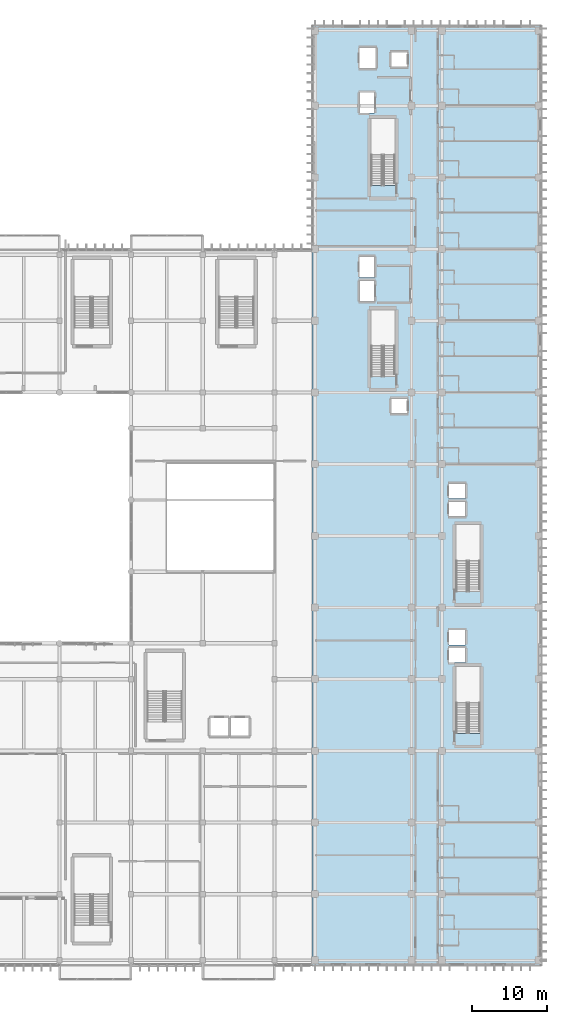
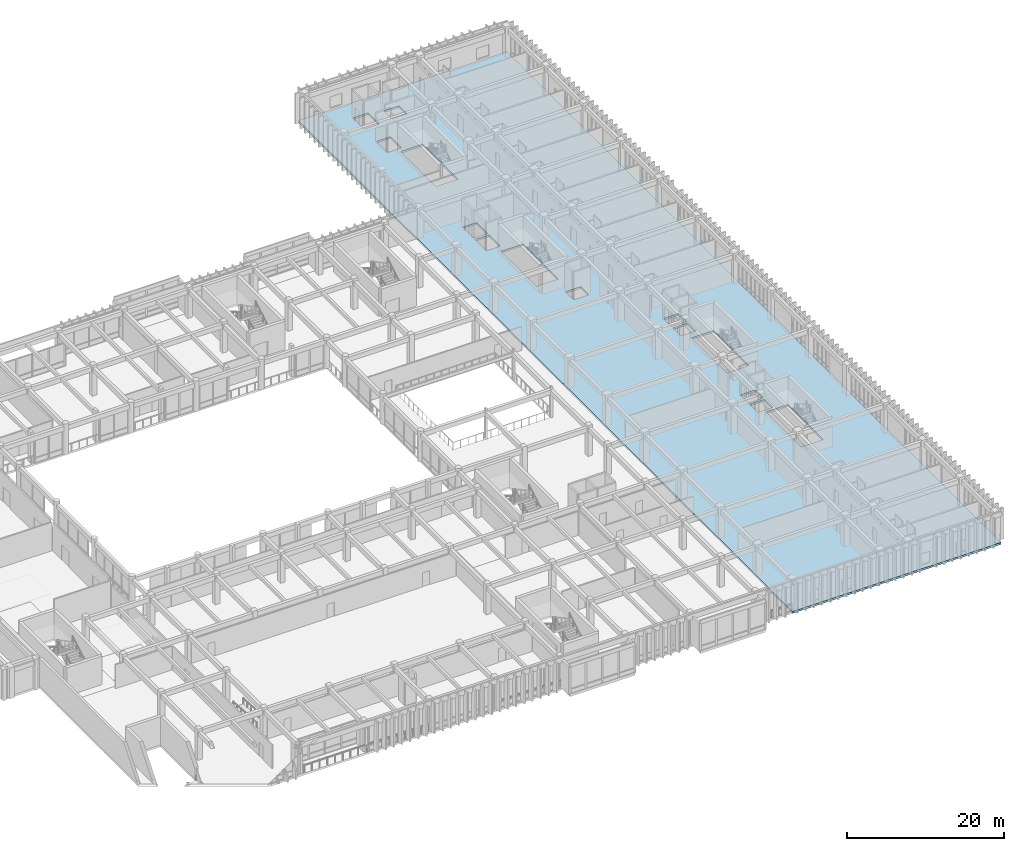
# One storey, part 95 of 133: 1 slab.
"""IFC4 building model written with IfcOpenShell, lengths in metres."""

from ifc_helpers import new_model, si_unit, direction, frame, origin, place, context, subcontext, project, spatial, polyline, outline, extrude, material, layer, layer_set, type_object, element, save


model = new_model("IFC4")

# Units and contexts
model_context = context("Model", 3, precision=1e-05, world=origin(), true_north=direction((0.0, 1.0)))
body_context = subcontext(model_context, "Body", "Model", "MODEL_VIEW")
ifc_project = project(units=[si_unit("LENGTHUNIT", "METRE"), si_unit("AREAUNIT", "SQUARE_METRE"), si_unit("VOLUMEUNIT", "CUBIC_METRE"), si_unit("PLANEANGLEUNIT", "RADIAN"), si_unit("MASSUNIT", "GRAM", prefix="KILO")], contexts=[model_context])

# Site, building, storey
site_placement = place(None, origin())
site = spatial("IfcSite", under=ifc_project, at=site_placement, CompositionType="ELEMENT")
building_placement = place(site_placement, origin())
building = spatial("IfcBuilding", under=site, at=building_placement, Name="Nakhvara Creek Congress Hotel", CompositionType="ELEMENT")
storey_placement = place(building_placement, frame((0.0, 0.0, 11.39990234375)))
storey = spatial("IfcBuildingStorey", under=building, at=storey_placement, Name="L02", CompositionType="ELEMENT", Elevation=11.39990234375)

# Slab
ifc_material = material(Name="Concrete C40/50", Category="concrete")
ifc_layer = layer(ifc_material, 0.300048828125)
ifc_layer_set = layer_set([ifc_layer], Name="Concrete C40/50")
slab_type = type_object("IfcSlabType", Name="SL-FLR-300", PredefinedType="FLOOR", material=ifc_layer_set)
slab_placement = place(storey_placement, frame((0.0, 0.0, -0.2998046875)))
element("IfcSlab", 1, at=slab_placement, inside=storey, type_object=slab_type, Name="Structural Slab SLB-L02-V5", PredefinedType="FLOOR", context=body_context, shape_type="SweptSolid", body=[
    extrude(outline(polyline([(149.050048828125, 126.0), (179.75, 126.0), (179.75, 0.0), (149.050048828125, 0.0), (149.050048828125, 126.0)]), holes=[polyline([(161.800048828125, 74.0), (161.800048828125, 76.0), (159.60009765625, 76.0), (159.60009765625, 74.0), (161.800048828125, 74.0)]), polyline([(160.14990234375, 78.93994140625), (160.14990234375, 87.89990234375), (156.919921875, 87.89990234375), (156.919921875, 78.93994140625), (160.14990234375, 78.93994140625)]), polyline([(155.39990234375, 89.0), (157.39990234375, 89.0), (157.39990234375, 91.800048828125), (155.39990234375, 91.800048828125), (155.39990234375, 89.0)]), polyline([(155.39990234375, 92.199951171875), (157.39990234375, 92.199951171875), (157.39990234375, 95.0), (155.39990234375, 95.0), (155.39990234375, 92.199951171875)]), polyline([(160.14990234375, 104.5400390625), (160.14990234375, 113.5), (156.919921875, 113.5), (156.919921875, 104.5400390625), (160.14990234375, 104.5400390625)]), polyline([(155.39990234375, 114.199951171875), (157.39990234375, 114.199951171875), (157.39990234375, 117.0), (155.39990234375, 117.0), (155.39990234375, 114.199951171875)]), polyline([(155.39990234375, 120.199951171875), (157.60009765625, 120.199951171875), (157.60009765625, 123.0), (155.39990234375, 123.0), (155.39990234375, 120.199951171875)]), polyline([(171.550048828125, 40.10009765625), (168.320068359375, 40.10009765625), (168.320068359375, 31.139892578125), (171.550048828125, 31.139892578125), (171.550048828125, 40.10009765625)]), polyline([(167.39990234375, 40.60009765625), (169.60009765625, 40.60009765625), (169.60009765625, 42.60009765625), (167.39990234375, 42.60009765625), (167.39990234375, 40.60009765625)]), polyline([(167.39990234375, 43.0), (169.60009765625, 43.0), (169.60009765625, 45.0), (167.39990234375, 45.0), (167.39990234375, 43.0)]), polyline([(171.550048828125, 50.139892578125), (171.550048828125, 59.10009765625), (168.320068359375, 59.10009765625), (168.320068359375, 50.139892578125), (171.550048828125, 50.139892578125)]), polyline([(167.39990234375, 60.199951171875), (169.60009765625, 60.199951171875), (169.60009765625, 62.199951171875), (167.39990234375, 62.199951171875), (167.39990234375, 60.199951171875)]), polyline([(167.39990234375, 62.60009765625), (169.60009765625, 62.60009765625), (169.60009765625, 64.60009765625), (167.39990234375, 64.60009765625), (167.39990234375, 62.60009765625)]), polyline([(159.60009765625, 120.39990234375), (161.800048828125, 120.39990234375), (161.800048828125, 122.39990234375), (159.60009765625, 122.39990234375), (159.60009765625, 120.39990234375)])]), origin(), (0.0, 0.0, 1.0), 0.2998046875),
])

save(model, "model.ifc")
